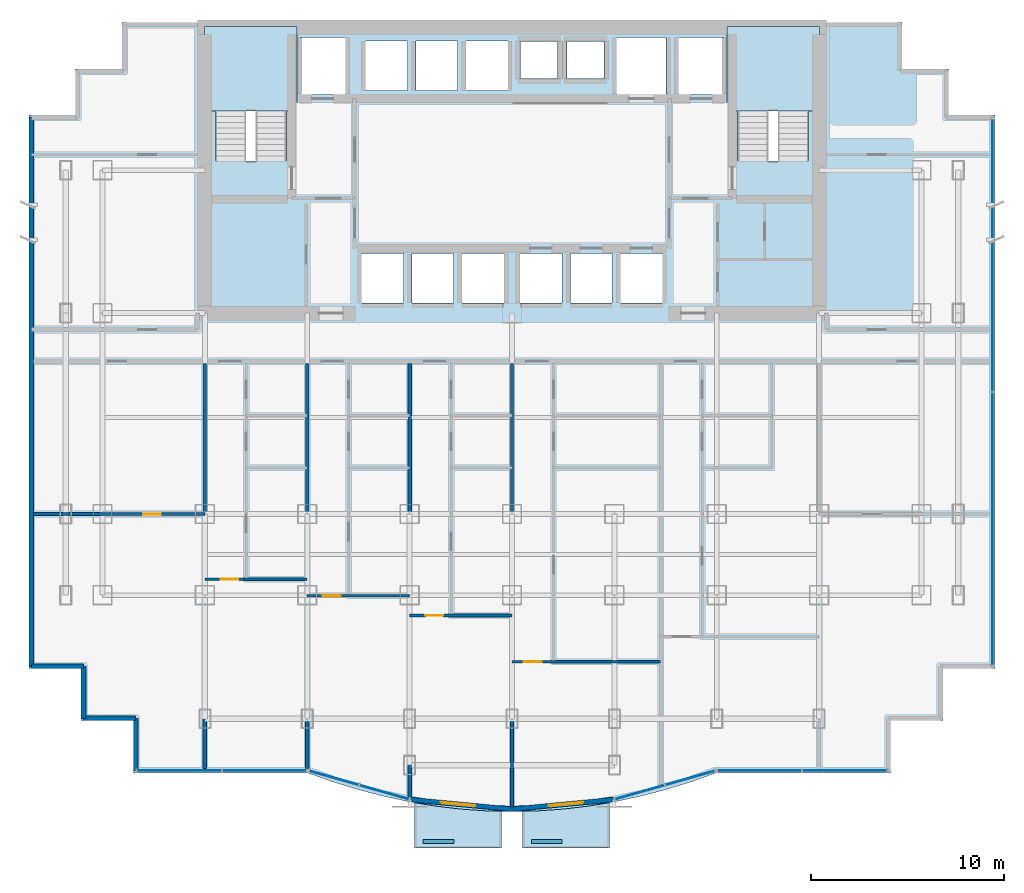
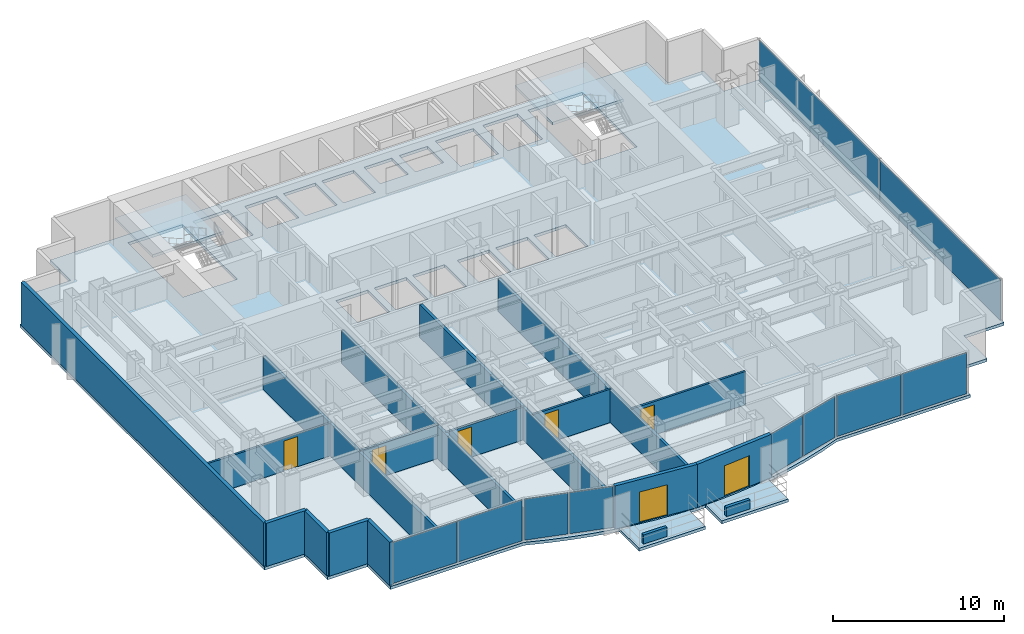
# One storey, part 6 of 12: 18 walls, 10 plates, 7 doors, 5 slabs, 7 openings, 7 elements without a shape of their own.
"""IFC4 building model written with IfcOpenShell, lengths in metres."""

from ifc_helpers import new_model, si_unit, direction, frame, frame_2d, origin, origin_2d, place, context, subcontext, project, spatial, polyline, rectangle, outline, extrude, source, transform, mapped, material, layer, layer_set, type_object, element, fill, aggregate, save


model = new_model("IFC4")

# Units and contexts
model_context = context("Model", 3, precision=1e-05, world=origin(), true_north=direction((0.0, 1.0)))
body_context = subcontext(model_context, "Body", "Model", "MODEL_VIEW")
ifc_project = project(units=[si_unit("LENGTHUNIT", "METRE"), si_unit("AREAUNIT", "SQUARE_METRE"), si_unit("VOLUMEUNIT", "CUBIC_METRE"), si_unit("PLANEANGLEUNIT", "RADIAN"), si_unit("MASSUNIT", "GRAM", prefix="KILO")], contexts=[model_context])

# Site, building, storey
site_placement = place(None, origin())
site = spatial("IfcSite", under=ifc_project, at=site_placement, CompositionType="ELEMENT")
building_placement = place(site_placement, origin())
building = spatial("IfcBuilding", under=site, at=building_placement, Name="Qianlan Lanfeng Residences", CompositionType="ELEMENT")
storey_placement = place(building_placement, frame((0.0, 0.0, 81.699951171875)))
storey = spatial("IfcBuildingStorey", under=building, at=storey_placement, Name="L21", CompositionType="ELEMENT", Elevation=81.699951171875)

# Slabs
ifc_material_1 = material(Name="Concrete C42", Category="concrete")
ifc_layer_1 = layer(ifc_material_1, 0.2099609375)
ifc_layer_set_1 = layer_set([ifc_layer_1], Name="Concrete C42")
slab_type_1 = type_object("IfcSlabType", Name="S-BAL-210", PredefinedType="FLOOR", material=ifc_layer_set_1)
slab_1_placement = place(storey_placement, frame((0.0, 0.0, -0.2099609375)))
element("IfcSlab", 1, at=slab_1_placement, inside=storey, type_object=slab_type_1, Name="L21 Planted Tree Balcony Slab SB-W", PredefinedType="FLOOR", context=body_context, shape_type="SweptSolid", body=[
    extrude(outline(polyline([(25.949951171875, -0.5869140625), (25.177001953125, -0.569091796875), (23.85498046875, -0.47509765625), (22.531982421875, -0.319091796875), (21.449951171875, -0.139892578125), (21.449951171875, -2.5), (25.949951171875, -2.5), (25.949951171875, -0.5869140625)])), origin(), (0.0, 0.0, 1.0), 0.2099609375),
])
slab_2_placement = place(storey_placement, frame((0.0, 0.0, -0.2099609375)))
element("IfcSlab", 2, at=slab_2_placement, inside=storey, type_object=slab_type_1, Name="L21 Planted Tree Balcony Slab SB-E", PredefinedType="FLOOR", context=body_context, shape_type="SweptSolid", body=[
    extrude(outline(polyline([(31.550048828125, -0.139892578125), (30.467041015625, -0.319091796875), (29.14501953125, -0.47509765625), (27.822021484375, -0.569091796875), (27.050048828125, -0.5869140625), (27.050048828125, -2.5), (31.550048828125, -2.5), (31.550048828125, -0.139892578125)])), origin(), (0.0, 0.0, 1.0), 0.2099609375),
])
ifc_layer_2 = layer(ifc_material_1, 0.2099609375)
ifc_layer_set_2 = layer_set([ifc_layer_2], Name="Concrete C42")
slab_type_2 = type_object("IfcSlabType", Name="S-FL-210", PredefinedType="FLOOR", material=ifc_layer_set_2)
slab_3_placement = place(storey_placement, frame((0.0, 0.0, -0.2099609375)))
element("IfcSlab", 3, at=slab_3_placement, inside=storey, type_object=slab_type_2, Name="L21 Structural Floor Slab", PredefinedType="FLOOR", context=body_context, shape_type="SweptSolid", body=[
    extrude(outline(polyline([(1.5, 6.800048828125), (4.199951171875, 6.800048828125), (4.199951171875, 4.10009765625), (6.89990234375, 4.10009765625), (6.89990234375, 1.39990234375), (15.919921875, 1.39990234375), (17.241943359375, 0.930908203125), (18.56494140625, 0.52490234375), (19.886962890625, 0.180908203125), (21.2099609375, -0.10009765625), (22.531982421875, -0.319091796875), (23.85498046875, -0.47509765625), (25.177001953125, -0.569091796875), (26.5, -0.60009765625), (27.822021484375, -0.569091796875), (29.14501953125, -0.47509765625), (30.467041015625, -0.319091796875), (31.7900390625, -0.10009765625), (33.112060546875, 0.180908203125), (34.43505859375, 0.52490234375), (35.758056640625, 0.930908203125), (37.080078125, 1.39990234375), (46.10009765625, 1.39990234375), (46.10009765625, 4.10009765625), (48.800048828125, 4.10009765625), (48.800048828125, 6.800048828125), (51.5, 6.800048828125), (51.5, 35.449951171875), (49.10009765625, 35.449951171875), (49.10009765625, 37.85009765625), (46.699951171875, 37.85009765625), (46.699951171875, 40.25), (6.300048828125, 40.25), (6.300048828125, 37.85009765625), (3.89990234375, 37.85009765625), (3.89990234375, 35.449951171875), (1.5, 35.449951171875), (1.5, 6.800048828125)]), holes=[polyline([(11.139892578125, 33.080078125), (11.139892578125, 39.5), (14.820068359375, 39.5), (14.820068359375, 33.080078125), (11.139892578125, 33.080078125)]), polyline([(38.179931640625, 33.080078125), (38.179931640625, 39.5), (41.860107421875, 39.5), (41.860107421875, 33.080078125), (38.179931640625, 33.080078125)]), polyline([(15.52001953125, 36.52001953125), (15.52001953125, 39.47998046875), (17.8798828125, 39.47998046875), (17.8798828125, 36.52001953125), (15.52001953125, 36.52001953125)]), polyline([(35.1201171875, 36.52001953125), (35.1201171875, 39.47998046875), (37.47998046875, 39.47998046875), (37.47998046875, 36.52001953125), (35.1201171875, 36.52001953125)]), polyline([(31.919921875, 36.52001953125), (31.919921875, 39.47998046875), (34.47998046875, 39.47998046875), (34.47998046875, 36.52001953125), (31.919921875, 36.52001953125)]), polyline([(18.719970703125, 25.719970703125), (18.719970703125, 28.280029296875), (20.8798828125, 28.280029296875), (20.8798828125, 25.719970703125), (18.719970703125, 25.719970703125)]), polyline([(21.320068359375, 25.719970703125), (21.320068359375, 28.280029296875), (23.47998046875, 28.280029296875), (23.47998046875, 25.719970703125), (21.320068359375, 25.719970703125)]), polyline([(23.919921875, 25.719970703125), (23.919921875, 28.280029296875), (26.080078125, 28.280029296875), (26.080078125, 25.719970703125), (23.919921875, 25.719970703125)]), polyline([(26.919921875, 25.719970703125), (26.919921875, 28.280029296875), (29.080078125, 28.280029296875), (29.080078125, 25.719970703125), (26.919921875, 25.719970703125)]), polyline([(29.52001953125, 25.719970703125), (29.52001953125, 28.280029296875), (31.679931640625, 28.280029296875), (31.679931640625, 25.719970703125), (29.52001953125, 25.719970703125)]), polyline([(32.1201171875, 25.719970703125), (32.1201171875, 28.280029296875), (34.280029296875, 28.280029296875), (34.280029296875, 25.719970703125), (32.1201171875, 25.719970703125)]), polyline([(18.919921875, 36.719970703125), (18.919921875, 39.280029296875), (21.080078125, 39.280029296875), (21.080078125, 36.719970703125), (18.919921875, 36.719970703125)]), polyline([(21.52001953125, 36.719970703125), (21.52001953125, 39.280029296875), (23.679931640625, 39.280029296875), (23.679931640625, 36.719970703125), (21.52001953125, 36.719970703125)]), polyline([(24.1201171875, 36.719970703125), (24.1201171875, 39.280029296875), (26.280029296875, 39.280029296875), (26.280029296875, 36.719970703125), (24.1201171875, 36.719970703125)]), polyline([(26.949951171875, 37.35009765625), (26.949951171875, 39.25), (28.85009765625, 39.25), (28.85009765625, 37.35009765625), (26.949951171875, 37.35009765625)]), polyline([(29.35009765625, 37.35009765625), (29.35009765625, 39.25), (31.25, 39.25), (31.25, 37.35009765625), (29.35009765625, 37.35009765625)])]), origin(), (0.0, 0.0, 1.0), 0.2099609375),
])

# Stair, slab
stair_type = type_object("IfcStairType", Name="STR-MAIN", PredefinedType="HALF_TURN_STAIR", material=ifc_material_1)
stair_1_placement = place(storey_placement, origin())
stair_1 = element("IfcStair", 4, at=stair_1_placement, inside=storey, type_object=stair_type, Name="L21 Exit Stair ST-1", PredefinedType="HALF_TURN_STAIR")
ifc_layer_3 = layer(ifc_material_1, 0.179931640625)
ifc_layer_set_3 = layer_set([ifc_layer_3], Name="Concrete C42")
slab_type_3 = type_object("IfcSlabType", Name="S-LND-180", PredefinedType="LANDING", material=ifc_layer_set_3)
slab_4_placement = place(storey_placement, frame((0.0, 0.0, 1.449951171875)))
slab_4 = element("IfcSlab", 5, at=slab_4_placement, type_object=slab_type_3, Name="ST-1 landing 1", PredefinedType="LANDING", context=body_context, shape_type="SweptSolid", body=[
    extrude(outline(polyline([(10.580078125, 35.659912109375), (15.3798828125, 35.659912109375), (15.3798828125, 40.050048828125), (10.580078125, 40.050048828125), (10.580078125, 35.659912109375)])), origin(), (0.0, 0.0, 1.0), 0.2001953125),
])
aggregate(stair_1, [slab_4])

stair_2_placement = place(storey_placement, origin())
stair_2 = element("IfcStair", 6, at=stair_2_placement, inside=storey, type_object=stair_type, Name="L21 Exit Stair ST-2", PredefinedType="HALF_TURN_STAIR")
slab_5_placement = place(storey_placement, frame((0.0, 0.0, 1.449951171875)))
slab_5 = element("IfcSlab", 7, at=slab_5_placement, type_object=slab_type_3, Name="ST-2 landing 1", PredefinedType="LANDING", context=body_context, shape_type="SweptSolid", body=[
    extrude(outline(polyline([(37.6201171875, 35.659912109375), (42.419921875, 35.659912109375), (42.419921875, 40.050048828125), (37.6201171875, 40.050048828125), (37.6201171875, 35.659912109375)])), origin(), (0.0, 0.0, 1.0), 0.2001953125),
])
aggregate(stair_2, [slab_5])

# Curtain wall, plates
ifc_material_2 = material(Name="Anodised Bronze Aluminium 6063-T6", Category="aluminium")
ifc_layer_4 = layer(ifc_material_2, 0.219970703125)
ifc_layer_set_4 = layer_set([ifc_layer_4], Name="Anodised Bronze Aluminium 6063-T6")
curtain_wall_type = type_object("IfcCurtainWallType", Name="CW-03", PredefinedType="NOTDEFINED", material=ifc_layer_set_4)
curtain_wall_1_placement = place(storey_placement, origin())
curtain_wall_1 = element("IfcCurtainWall", 8, at=curtain_wall_1_placement, inside=storey, type_object=curtain_wall_type, Name="L21 Unitised Curtain Wall CWR-L21-01 (CW-03)", PredefinedType="NOTDEFINED")
ifc_material_3 = material(Name="Clear Low-E Insulated Glass", Category="glass")
ifc_layer_5 = layer(ifc_material_3, 0.035888671875)
ifc_layer_set_5 = layer_set([ifc_layer_5], Name="Clear Low-E Insulated Glass")
plate_type_1 = type_object("IfcPlateType", Name="PNL-GLZ-CLR", PredefinedType="CURTAIN_PANEL", material=ifc_layer_set_5)
shared_shape_1 = source(origin(), body_context, "Body", "SweptSolid", [
    extrude(rectangle(XDim=4.342529296875, YDim=0.035888671875, at=origin_2d()), origin(), (0.0, 0.0, 1.0), 2.931884765625),
])
plate_1_placement = place(storey_placement, frame((9.270263671875, 1.52001953125, 0.0791015625), z_axis=(0.0, 0.0, 1.0), x_axis=(1.0, 0.0, 0.0)))
plate_1 = element("IfcPlate", 9, at=plate_1_placement, type_object=plate_type_1, Name="CWR-L21-01 Curtain Panel 1", PredefinedType="CURTAIN_PANEL", context=body_context, shape_type="MappedRepresentation", body=[
    mapped(shared_shape_1, transform((0.0, 0.0, 0.0), scale=1.0)),
])
plate_2_placement = place(storey_placement, frame((13.690673828125, 1.52001953125, 0.0791015625), z_axis=(0.0, 0.0, 1.0), x_axis=(1.0, 0.0, 0.0)))
plate_2 = element("IfcPlate", 10, at=plate_2_placement, type_object=plate_type_1, Name="CWR-L21-01 Curtain Panel 2", PredefinedType="CURTAIN_PANEL", context=body_context, shape_type="MappedRepresentation", body=[
    mapped(shared_shape_1, transform((0.0, 0.0, 0.0), scale=1.0)),
])
aggregate(curtain_wall_1, [plate_1, plate_2])

# Curtain wall, plate
curtain_wall_2_placement = place(storey_placement, origin())
curtain_wall_2 = element("IfcCurtainWall", 11, at=curtain_wall_2_placement, inside=storey, type_object=curtain_wall_type, Name="L21 Unitised Curtain Wall CWR-L21-04 (CW-03)", PredefinedType="NOTDEFINED")
plate_3_placement = place(storey_placement, frame((39.30908203125, 1.52001953125, 0.0791015625), z_axis=(0.0, 0.0, 1.0), x_axis=(1.0, 0.0, 0.0)))
plate_3 = element("IfcPlate", 12, at=plate_3_placement, type_object=plate_type_1, Name="CWR-L21-04 Curtain Panel 1", PredefinedType="CURTAIN_PANEL", context=body_context, shape_type="MappedRepresentation", body=[
    mapped(shared_shape_1, transform((0.0, 0.0, 0.0), scale=1.0)),
])

curtain_wall_3_placement = place(storey_placement, origin())
curtain_wall_3 = element("IfcCurtainWall", 13, at=curtain_wall_3_placement, inside=storey, type_object=curtain_wall_type, Name="L21 Unitised Curtain Wall CWR-L21-02 (CW-03)", PredefinedType="NOTDEFINED")
shared_shape_2 = source(origin(), body_context, "Body", "SweptSolid", [
    extrude(rectangle(XDim=2.632080078125, YDim=0.035888671875, at=origin_2d()), origin(), (0.0, 0.0, 1.0), 2.931884765625),
])
plate_4_placement = place(storey_placement, frame((17.282958984375, 1.138916015625, 0.0791015625), z_axis=(0.0, 0.0, 1.0), x_axis=(0.961989074302, -0.273087936247, 0.0)))
plate_4 = element("IfcPlate", 14, at=plate_4_placement, type_object=plate_type_1, Name="CWR-L21-02 Curtain Panel 1", PredefinedType="CURTAIN_PANEL", context=body_context, shape_type="MappedRepresentation", body=[
    mapped(shared_shape_2, transform((0.0, 0.0, 0.0), scale=1.0)),
])

# Curtain wall, plates
curtain_wall_4_placement = place(storey_placement, origin())
curtain_wall_4 = element("IfcCurtainWall", 15, at=curtain_wall_4_placement, inside=storey, type_object=curtain_wall_type, Name="L21 Unitised Curtain Wall CWR-L21-03 (CW-03)", PredefinedType="NOTDEFINED")
plate_5_placement = place(storey_placement, frame((33.110107421875, 0.39892578125, 0.0791015625), z_axis=(0.0, 0.0, 1.0), x_axis=(0.961989074302, 0.273087936247, 0.0)))
plate_5 = element("IfcPlate", 16, at=plate_5_placement, type_object=plate_type_1, Name="CWR-L21-03 Curtain Panel 1", PredefinedType="CURTAIN_PANEL", context=body_context, shape_type="MappedRepresentation", body=[
    mapped(shared_shape_2, transform((0.0, 0.0, 0.0), scale=1.0)),
])
plate_6_placement = place(storey_placement, frame((35.717041015625, 1.138916015625, 0.0791015625), z_axis=(0.0, 0.0, 1.0), x_axis=(0.961989074302, 0.273087936247, 0.0)))
plate_6 = element("IfcPlate", 17, at=plate_6_placement, type_object=plate_type_1, Name="CWR-L21-03 Curtain Panel 2", PredefinedType="CURTAIN_PANEL", context=body_context, shape_type="MappedRepresentation", body=[
    mapped(shared_shape_2, transform((0.0, 0.0, 0.0), scale=1.0)),
])
aggregate(curtain_wall_4, [plate_5, plate_6])

# Plate
ifc_material_4 = material(Name="Perforated Anodised Bronze Aluminium Panel", Category="aluminium")
ifc_layer_6 = layer(ifc_material_4, 0.0419921875)
ifc_layer_set_6 = layer_set([ifc_layer_6], Name="Perforated Anodised Bronze Aluminium Panel")
plate_type_2 = type_object("IfcPlateType", Name="PNL-PRF-BRZ", PredefinedType="CURTAIN_PANEL", material=ifc_layer_set_6)
shared_shape_3 = source(origin(), body_context, "Body", "SweptSolid", [
    extrude(rectangle(XDim=2.632080078125, YDim=0.0419921875, at=origin_2d()), origin(), (0.0, 0.0, 1.0), 2.931884765625),
])
plate_7_placement = place(storey_placement, frame((19.889892578125, 0.39892578125, 0.0791015625), z_axis=(0.0, 0.0, 1.0), x_axis=(0.961989074302, -0.273087936247, 0.0)))
plate_7 = element("IfcPlate", 18, at=plate_7_placement, type_object=plate_type_2, Name="CWR-L21-02 Curtain Panel 2", PredefinedType="CURTAIN_PANEL", context=body_context, shape_type="MappedRepresentation", body=[
    mapped(shared_shape_3, transform((0.0, 0.0, 0.0), scale=1.0)),
])

aggregate(curtain_wall_3, [plate_4, plate_7])

shared_shape_4 = source(origin(), body_context, "Body", "SweptSolid", [
    extrude(rectangle(XDim=4.342529296875, YDim=0.0419921875, at=origin_2d()), origin(), (0.0, 0.0, 1.0), 2.931884765625),
])
plate_8_placement = place(storey_placement, frame((43.729736328125, 1.52001953125, 0.0791015625), z_axis=(0.0, 0.0, 1.0), x_axis=(1.0, 0.0, 0.0)))
plate_8 = element("IfcPlate", 19, at=plate_8_placement, type_object=plate_type_2, Name="CWR-L21-04 Curtain Panel 2", PredefinedType="CURTAIN_PANEL", context=body_context, shape_type="MappedRepresentation", body=[
    mapped(shared_shape_4, transform((0.0, 0.0, 0.0), scale=1.0)),
])

aggregate(curtain_wall_2, [plate_3, plate_8])

# Curtain wall, plates
curtain_wall_5_placement = place(storey_placement, origin())
curtain_wall_5 = element("IfcCurtainWall", 20, at=curtain_wall_5_placement, inside=storey, type_object=curtain_wall_type, Name="L21 Unitised Curtain Wall CWR-L21-05 (CW-03)", PredefinedType="NOTDEFINED")
shared_shape_5 = source(origin(), body_context, "Body", "SweptSolid", [
    extrude(rectangle(XDim=14.0869140625, YDim=0.035888671875, at=origin_2d()), origin(), (0.0, 0.0, 1.0), 2.931884765625),
])
plate_9_placement = place(storey_placement, frame((51.3798828125, 14.04248046875, 0.0791015625), z_axis=(0.0, 0.0, 1.0), x_axis=(0.0, 1.0, 0.0)))
plate_9 = element("IfcPlate", 21, at=plate_9_placement, type_object=plate_type_1, Name="CWR-L21-05 Curtain Panel 1", PredefinedType="CURTAIN_PANEL", context=body_context, shape_type="MappedRepresentation", body=[
    mapped(shared_shape_5, transform((0.0, 0.0, 0.0), scale=1.0)),
])
plate_10_placement = place(storey_placement, frame((51.3798828125, 28.20751953125, 0.0791015625), z_axis=(0.0, 0.0, 1.0), x_axis=(0.0, 1.0, 0.0)))
plate_10 = element("IfcPlate", 22, at=plate_10_placement, type_object=plate_type_1, Name="CWR-L21-05 Curtain Panel 2", PredefinedType="CURTAIN_PANEL", context=body_context, shape_type="MappedRepresentation", body=[
    mapped(shared_shape_5, transform((0.0, 0.0, 0.0), scale=1.0)),
])
aggregate(curtain_wall_5, [plate_9, plate_10])

# Walls
ifc_layer_7 = layer(ifc_material_1, 0.239990234375)
ifc_layer_set_7 = layer_set([ifc_layer_7], Name="Concrete C42")
wall_type_1 = type_object("IfcWallType", Name="EW-240", PredefinedType="SOLIDWALL", material=ifc_layer_set_7)
for number, where, z_axis, x_axis, name in (
    (23, (1.6201171875, 6.919921875, 0.0), (0.0, 0.0, 1.0), (1.0, 0.0, 0.0), "L21 Exterior Facade Spandrel Wall 1"),
    (24, (4.320068359375, 6.919921875, 0.0), (0.0, 0.0, 1.0), (0.0, -1.0, 0.0), "L21 Exterior Facade Spandrel Wall 2"),
    (25, (4.320068359375, 4.219970703125, 0.0), (0.0, 0.0, 1.0), (1.0, 0.0, 0.0), "L21 Exterior Facade Spandrel Wall 3"),
    (26, (7.02001953125, 4.219970703125, 0.0), (0.0, 0.0, 1.0), (0.0, -1.0, 0.0), "L21 Exterior Facade Spandrel Wall 4"),
):
    element("IfcWall", number, at=place(storey_placement, frame(where, z_axis=z_axis, x_axis=x_axis)), inside=storey, type_object=wall_type_1, Name=name, PredefinedType="SOLIDWALL", context=body_context, shape_type="SweptSolid", body=[
        extrude(rectangle(XDim=2.699951171875, YDim=0.239990234375, at=frame_2d((1.35009765625, 0.0))), origin(), (0.0, 0.0, 1.0), 3.090087890625),
    ])

# Wall, opening, door
wall_1_placement = place(storey_placement, frame((21.23193359375, 0.01806640625, 0.0), z_axis=(0.0, 0.0, 1.0), x_axis=(0.995560760834, -0.094121046997, 0.0)))
wall_1 = element("IfcWall", 27, at=wall_1_placement, inside=storey, type_object=wall_type_1, Name="L21 Terrace/Balcony Access Exterior Wall 5", PredefinedType="SOLIDWALL", context=body_context, shape_type="SweptSolid", body=[
    extrude(rectangle(XDim=5.29150390625, YDim=0.239990234375, at=frame_2d((2.645751953125, 0.0))), origin(), (0.0, 0.0, 1.0), 3.090087890625),
])
opening_1_placement = place(wall_1_placement, frame((1.576904296875, 0.0, 0.0)))
opening_1 = element("IfcOpeningElement", 28, at=opening_1_placement, cuts=wall_1, Name="Opening L21-D-SB-W", PredefinedType="OPENING", context=body_context, shape_type="SweptSolid", body=[
    extrude(rectangle(XDim=1.800048828125, YDim=2.199951171875, at=frame_2d((0.89990234375, 1.10009765625))), frame((0.0, 0.1298828125, 0.0), z_axis=(0.0, -1.0, 0.0), x_axis=(1.0, 0.0, 0.0)), (0.0, 0.0, 1.0), 0.260009765625),
])
ifc_material_5 = material(Name="Anodised Bronze Aluminium Framed Glass", Category="aluminium")
door_type_1 = type_object("IfcDoorType", Name="DT-BAL1", OperationType="NOTDEFINED", PredefinedType="DOOR", material=ifc_material_5)
door_1_placement = place(opening_1_placement, frame((1.800048828125, 0.0, 0.0), z_axis=(0.0, 0.0, 1.0), x_axis=(-1.0, 0.0, 0.0)))
door_1 = element("IfcDoor", 29, at=door_1_placement, inside=storey, type_object=door_type_1, Name="L21 Exterior Access Door SB-W", OperationType="DOUBLE_DOOR_SLIDING", OverallHeight=2.199951171875, OverallWidth=1.800048828125, PredefinedType="DOOR", context=body_context, shape_type="SweptSolid", body=[
    extrude(rectangle(XDim=1.800048828125, YDim=2.199951171875, at=frame_2d((0.89990234375, 1.10009765625))), frame((0.0, 0.02490234375, 0.0), z_axis=(0.0, -1.0, 0.0), x_axis=(1.0, 0.0, 0.0)), (0.0, 0.0, 1.0), 0.050048828125),
])
fill(opening_1, door_1)

wall_2_placement = place(storey_placement, frame((26.5, -0.47998046875, 0.0), z_axis=(0.0, 0.0, 1.0), x_axis=(0.995560760834, 0.094121046997, 0.0)))
wall_2 = element("IfcWall", 30, at=wall_2_placement, inside=storey, type_object=wall_type_1, Name="L21 Terrace/Balcony Access Exterior Wall 6", PredefinedType="SOLIDWALL", context=body_context, shape_type="SweptSolid", body=[
    extrude(rectangle(XDim=5.29150390625, YDim=0.239990234375, at=frame_2d((2.645751953125, 0.0))), origin(), (0.0, 0.0, 1.0), 3.090087890625),
])
opening_2_placement = place(wall_2_placement, frame((1.9140625, 0.0, 0.0)))
opening_2 = element("IfcOpeningElement", 31, at=opening_2_placement, cuts=wall_2, Name="Opening L21-D-SB-E", PredefinedType="OPENING", context=body_context, shape_type="SweptSolid", body=[
    extrude(rectangle(XDim=1.800048828125, YDim=2.199951171875, at=frame_2d((0.89990234375, 1.10009765625))), frame((0.0, 0.1298828125, 0.0), z_axis=(0.0, -1.0, 0.0), x_axis=(1.0, 0.0, 0.0)), (0.0, 0.0, 1.0), 0.260009765625),
])
door_2_placement = place(opening_2_placement, frame((1.800048828125, 0.0, 0.0), z_axis=(0.0, 0.0, 1.0), x_axis=(-1.0, 0.0, 0.0)))
door_2 = element("IfcDoor", 32, at=door_2_placement, inside=storey, type_object=door_type_1, Name="L21 Exterior Access Door SB-E", OperationType="DOUBLE_DOOR_SLIDING", OverallHeight=2.199951171875, OverallWidth=1.800048828125, PredefinedType="DOOR", context=body_context, shape_type="SweptSolid", body=[
    extrude(rectangle(XDim=1.800048828125, YDim=2.199951171875, at=frame_2d((0.89990234375, 1.10009765625))), frame((0.0, 0.02490234375, 0.0), z_axis=(0.0, -1.0, 0.0), x_axis=(1.0, 0.0, 0.0)), (0.0, 0.0, 1.0), 0.050048828125),
])
fill(opening_2, door_2)

# Walls
wall_3_placement = place(storey_placement, frame((1.6201171875, 35.330078125, 0.0), z_axis=(0.0, 0.0, 1.0), x_axis=(0.0, -1.0, 0.0)))
element("IfcWall", 33, at=wall_3_placement, inside=storey, type_object=wall_type_1, Name="L21 Exterior Facade Spandrel Wall 21", PredefinedType="SOLIDWALL", context=body_context, shape_type="SweptSolid", body=[
    extrude(rectangle(XDim=28.41015625, YDim=0.239990234375, at=frame_2d((14.205078125, 0.0))), origin(), (0.0, 0.0, 1.0), 3.090087890625),
])
ifc_layer_8 = layer(ifc_material_1, 0.199951171875)
ifc_layer_set_8 = layer_set([ifc_layer_8], Name="Concrete C42")
wall_type_2 = type_object("IfcWallType", Name="PL-TREE-200", PredefinedType="PARAPET", material=ifc_layer_set_8)
for number, where, z_axis, x_axis, name in (
    (34, (21.89990234375, -2.14990234375, 0.0), (0.0, 0.0, 1.0), (1.0, 0.0, 0.0), "L21 Balcony Tree Planter Curb SB-W"),
    (35, (27.5, -2.14990234375, 0.0), (0.0, 0.0, 1.0), (1.0, 0.0, 0.0), "L21 Balcony Tree Planter Curb SB-E"),
):
    element("IfcWall", number, at=place(storey_placement, frame(where, z_axis=z_axis, x_axis=x_axis)), inside=storey, type_object=wall_type_2, Name=name, PredefinedType="PARAPET", context=body_context, shape_type="SweptSolid", body=[
        extrude(rectangle(XDim=1.60009765625, YDim=0.199951171875, at=frame_2d((0.800048828125, 0.0))), origin(), (0.0, 0.0, 1.0), 0.650146484375),
    ])

# Wall, opening, door
ifc_material_6 = material(Name="Moisture-Resistant Gypsum Partition 135 mm")
ifc_layer_9 = layer(ifc_material_6, 0.135009765625)
ifc_layer_set_9 = layer_set([ifc_layer_9], Name="Moisture-Resistant Gypsum Partition 135 mm")
wall_type_3 = type_object("IfcWallType", Name="PW-135", PredefinedType="PARTITIONING", material=ifc_layer_set_9)
wall_4_placement = place(storey_placement, frame((10.60009765625, 11.419921875, 0.0), z_axis=(0.0, 0.0, 1.0), x_axis=(1.0, 0.0, 0.0)))
wall_4 = element("IfcWall", 36, at=wall_4_placement, inside=storey, type_object=wall_type_3, Name="L21 U01 Living Divider", PredefinedType="PARTITIONING", context=body_context, shape_type="SweptSolid", body=[
    extrude(rectangle(XDim=5.2998046875, YDim=0.135009765625, at=frame_2d((2.64990234375, 0.0))), origin(), (0.0, 0.0, 1.0), 2.380126953125),
])
opening_3_placement = place(wall_4_placement, frame((0.81494140625, 0.0, 0.0)))
opening_3 = element("IfcOpeningElement", 37, at=opening_3_placement, cuts=wall_4, Name="Opening L21-D16", PredefinedType="OPENING", context=body_context, shape_type="SweptSolid", body=[
    extrude(rectangle(XDim=0.919921875, YDim=2.14990234375, at=frame_2d((0.4599609375, 1.074951171875))), frame((0.0, 0.07763671875, 0.0), z_axis=(0.0, -1.0, 0.0), x_axis=(1.0, 0.0, 0.0)), (0.0, 0.0, 1.0), 0.155029296875),
])
ifc_material_7 = material(Name="Glazed Timber Kitchen/Study Door", Category="wood")
door_type_2 = type_object("IfcDoorType", Name="DT-INT", OperationType="NOTDEFINED", PredefinedType="DOOR", material=ifc_material_7)
door_3_placement = place(opening_3_placement, origin())
door_3 = element("IfcDoor", 38, at=door_3_placement, inside=storey, type_object=door_type_2, Name="L21 U01 Living Passage Door L21-D16 (DT-INT)", OperationType="SINGLE_SWING_LEFT", OverallHeight=2.14990234375, OverallWidth=0.919921875, PredefinedType="DOOR", context=body_context, shape_type="SweptSolid", body=[
    extrude(rectangle(XDim=0.919921875, YDim=2.14990234375, at=frame_2d((0.4599609375, 1.074951171875))), frame((0.0, 0.02490234375, 0.0), z_axis=(0.0, -1.0, 0.0), x_axis=(1.0, 0.0, 0.0)), (0.0, 0.0, 1.0), 0.050048828125),
])
fill(opening_3, door_3)

wall_5_placement = place(storey_placement, frame((15.89990234375, 10.56005859375, 0.0), z_axis=(0.0, 0.0, 1.0), x_axis=(1.0, 0.0, 0.0)))
wall_5 = element("IfcWall", 39, at=wall_5_placement, inside=storey, type_object=wall_type_3, Name="L21 U02 Living Divider", PredefinedType="PARTITIONING", context=body_context, shape_type="SweptSolid", body=[
    extrude(rectangle(XDim=5.300048828125, YDim=0.135009765625, at=frame_2d((2.64990234375, 0.0))), origin(), (0.0, 0.0, 1.0), 2.3349609375),
])
opening_4_placement = place(wall_5_placement, frame((0.81494140625, 0.0, 0.0)))
opening_4 = element("IfcOpeningElement", 40, at=opening_4_placement, cuts=wall_5, Name="Opening L21-D21", PredefinedType="OPENING", context=body_context, shape_type="SweptSolid", body=[
    extrude(rectangle(XDim=0.919921875, YDim=2.14990234375, at=frame_2d((0.4599609375, 1.074951171875))), frame((0.0, 0.07763671875, 0.0), z_axis=(0.0, -1.0, 0.0), x_axis=(1.0, 0.0, 0.0)), (0.0, 0.0, 1.0), 0.155029296875),
])
door_4_placement = place(opening_4_placement, origin())
door_4 = element("IfcDoor", 41, at=door_4_placement, inside=storey, type_object=door_type_2, Name="L21 U02 Living Passage Door L21-D21 (DT-INT)", OperationType="SINGLE_SWING_RIGHT", OverallHeight=2.14990234375, OverallWidth=0.919921875, PredefinedType="DOOR", context=body_context, shape_type="SweptSolid", body=[
    extrude(rectangle(XDim=0.919921875, YDim=2.14990234375, at=frame_2d((0.4599609375, 1.074951171875))), frame((0.0, 0.02490234375, 0.0), z_axis=(0.0, -1.0, 0.0), x_axis=(1.0, 0.0, 0.0)), (0.0, 0.0, 1.0), 0.050048828125),
])
fill(opening_4, door_4)

wall_6_placement = place(storey_placement, frame((21.199951171875, 9.547119140625, 0.0), z_axis=(0.0, 0.0, 1.0), x_axis=(1.0, 0.0, 0.0)))
wall_6 = element("IfcWall", 42, at=wall_6_placement, inside=storey, type_object=wall_type_3, Name="L21 U03 Living Divider", PredefinedType="PARTITIONING", context=body_context, shape_type="SweptSolid", body=[
    extrude(rectangle(XDim=5.300048828125, YDim=0.135009765625, at=frame_2d((2.64990234375, 0.0))), origin(), (0.0, 0.0, 1.0), 2.380126953125),
])
opening_5_placement = place(wall_6_placement, frame((0.81494140625, 0.0, 0.0)))
opening_5 = element("IfcOpeningElement", 43, at=opening_5_placement, cuts=wall_6, Name="Opening L21-D26", PredefinedType="OPENING", context=body_context, shape_type="SweptSolid", body=[
    extrude(rectangle(XDim=0.919921875, YDim=2.14990234375, at=frame_2d((0.4599609375, 1.074951171875))), frame((0.0, 0.07763671875, 0.0), z_axis=(0.0, -1.0, 0.0), x_axis=(1.0, 0.0, 0.0)), (0.0, 0.0, 1.0), 0.155029296875),
])
door_5_placement = place(opening_5_placement, frame((0.919921875, 0.0, 0.0), z_axis=(0.0, 0.0, 1.0), x_axis=(-1.0, 0.0, 0.0)))
door_5 = element("IfcDoor", 44, at=door_5_placement, inside=storey, type_object=door_type_2, Name="L21 U03 Living Passage Door L21-D26 (DT-INT)", OperationType="SINGLE_SWING_LEFT", OverallHeight=2.14990234375, OverallWidth=0.919921875, PredefinedType="DOOR", context=body_context, shape_type="SweptSolid", body=[
    extrude(rectangle(XDim=0.919921875, YDim=2.14990234375, at=frame_2d((0.4599609375, 1.074951171875))), frame((0.0, 0.02490234375, 0.0), z_axis=(0.0, -1.0, 0.0), x_axis=(1.0, 0.0, 0.0)), (0.0, 0.0, 1.0), 0.050048828125),
])
fill(opening_5, door_5)

wall_7_placement = place(storey_placement, frame((26.5, 7.162109375, 0.0), z_axis=(0.0, 0.0, 1.0), x_axis=(1.0, 0.0, 0.0)))
wall_7 = element("IfcWall", 45, at=wall_7_placement, inside=storey, type_object=wall_type_3, Name="L21 U04 Living Divider", PredefinedType="PARTITIONING", context=body_context, shape_type="SweptSolid", body=[
    extrude(rectangle(XDim=7.699951171875, YDim=0.135009765625, at=frame_2d((3.85009765625, 0.0))), origin(), (0.0, 0.0, 1.0), 2.380126953125),
])
opening_6_placement = place(wall_7_placement, frame((0.614990234375, 0.0, 0.0)))
opening_6 = element("IfcOpeningElement", 46, at=opening_6_placement, cuts=wall_7, Name="Opening L21-D31", PredefinedType="OPENING", context=body_context, shape_type="SweptSolid", body=[
    extrude(rectangle(XDim=0.919921875, YDim=2.14990234375, at=frame_2d((0.4599609375, 1.074951171875))), frame((0.0, 0.07763671875, 0.0), z_axis=(0.0, -1.0, 0.0), x_axis=(1.0, 0.0, 0.0)), (0.0, 0.0, 1.0), 0.155029296875),
])
door_6_placement = place(opening_6_placement, frame((0.919921875, 0.0, 0.0), z_axis=(0.0, 0.0, 1.0), x_axis=(-1.0, 0.0, 0.0)))
door_6 = element("IfcDoor", 47, at=door_6_placement, inside=storey, type_object=door_type_2, Name="L21 U04 Living Passage Door L21-D31 (DT-INT)", OperationType="SINGLE_SWING_RIGHT", OverallHeight=2.14990234375, OverallWidth=0.919921875, PredefinedType="DOOR", context=body_context, shape_type="SweptSolid", body=[
    extrude(rectangle(XDim=0.919921875, YDim=2.14990234375, at=frame_2d((0.4599609375, 1.074951171875))), frame((0.0, 0.02490234375, 0.0), z_axis=(0.0, -1.0, 0.0), x_axis=(1.0, 0.0, 0.0)), (0.0, 0.0, 1.0), 0.050048828125),
])
fill(opening_6, door_6)

wall_8_placement = place(storey_placement, frame((1.719970703125, 14.800048828125, 0.0), z_axis=(0.0, 0.0, 1.0), x_axis=(1.0, 0.0, 0.0)))
wall_8 = element("IfcWall", 48, at=wall_8_placement, inside=storey, type_object=wall_type_3, Name="L21 SWP Mid Partition", PredefinedType="PARTITIONING", context=body_context, shape_type="SweptSolid", body=[
    extrude(rectangle(XDim=8.880126953125, YDim=0.135009765625, at=frame_2d((4.43994140625, 0.0))), origin(), (0.0, 0.0, 1.0), 2.3349609375),
])
opening_7_placement = place(wall_8_placement, frame((5.679931640625, 0.0, 0.0)))
opening_7 = element("IfcOpeningElement", 49, at=opening_7_placement, cuts=wall_8, Name="Opening L21-D40", PredefinedType="OPENING", context=body_context, shape_type="SweptSolid", body=[
    extrude(rectangle(XDim=0.919921875, YDim=2.14990234375, at=frame_2d((0.4599609375, 1.074951171875))), frame((0.0, 0.07763671875, 0.0), z_axis=(0.0, -1.0, 0.0), x_axis=(1.0, 0.0, 0.0)), (0.0, 0.0, 1.0), 0.155029296875),
])
door_7_placement = place(opening_7_placement, origin())
door_7 = element("IfcDoor", 50, at=door_7_placement, inside=storey, type_object=door_type_2, Name="L21 SWP Inner Door L21-D40 (DT-INT)", OperationType="SINGLE_SWING_LEFT", OverallHeight=2.14990234375, OverallWidth=0.919921875, PredefinedType="DOOR", context=body_context, shape_type="SweptSolid", body=[
    extrude(rectangle(XDim=0.919921875, YDim=2.14990234375, at=frame_2d((0.4599609375, 1.074951171875))), frame((0.0, 0.02490234375, 0.0), z_axis=(0.0, -1.0, 0.0), x_axis=(1.0, 0.0, 0.0)), (0.0, 0.0, 1.0), 0.050048828125),
])
fill(opening_7, door_7)

# Walls
ifc_material_8 = material(Name="Double-Layer Acoustic Gypsum Stud Wall 180 mm")
ifc_layer_10 = layer(ifc_material_8, 0.179931640625)
ifc_layer_set_10 = layer_set([ifc_layer_10], Name="Double-Layer Acoustic Gypsum Stud Wall 180 mm")
wall_type_4 = type_object("IfcWallType", Name="PW-180", PredefinedType="PARTITIONING", material=ifc_layer_set_10)
for number, where, z_axis, x_axis, name in (
    (51, (10.60009765625, 1.6201171875, 0.0), (0.0, 0.0, 1.0), (0.0, 1.0, 0.0), "L21 Wing Boundary Party Wall W0"),
    (52, (15.89990234375, 1.6201171875, 0.0), (0.0, 0.0, 1.0), (0.0, 1.0, 0.0), "L21 Inter-Tenancy Party Wall 2"),
):
    element("IfcWall", number, at=place(storey_placement, frame(where, z_axis=z_axis, x_axis=x_axis)), inside=storey, type_object=wall_type_4, Name=name, PredefinedType="PARTITIONING", context=body_context, shape_type="SweptSolid", body=[
        extrude(rectangle(XDim=20.97998046875, YDim=0.179931640625, at=frame_2d((10.489990234375, 0.0))), origin(), (0.0, 0.0, 1.0), 2.3349609375),
    ])
wall_9_placement = place(storey_placement, frame((21.199951171875, 0.126953125, 0.0), z_axis=(0.0, 0.0, 1.0), x_axis=(0.0, 1.0, 0.0)))
element("IfcWall", 53, at=wall_9_placement, inside=storey, type_object=wall_type_4, Name="L21 Inter-Tenancy Party Wall 3", PredefinedType="PARTITIONING", context=body_context, shape_type="SweptSolid", body=[
    extrude(rectangle(XDim=22.47314453125, YDim=0.179931640625, at=frame_2d((11.236572265625, 0.0))), origin(), (0.0, 0.0, 1.0), 2.3349609375),
])
wall_10_placement = place(storey_placement, frame((26.5, -0.3798828125, 0.0), z_axis=(0.0, 0.0, 1.0), x_axis=(0.0, 1.0, 0.0)))
element("IfcWall", 54, at=wall_10_placement, inside=storey, type_object=wall_type_4, Name="L21 Inter-Tenancy Party Wall 4", PredefinedType="PARTITIONING", context=body_context, shape_type="SweptSolid", body=[
    extrude(rectangle(XDim=22.97998046875, YDim=0.179931640625, at=frame_2d((11.489990234375, 0.0))), origin(), (0.0, 0.0, 1.0), 2.3349609375),
])

save(model, "model.ifc")
